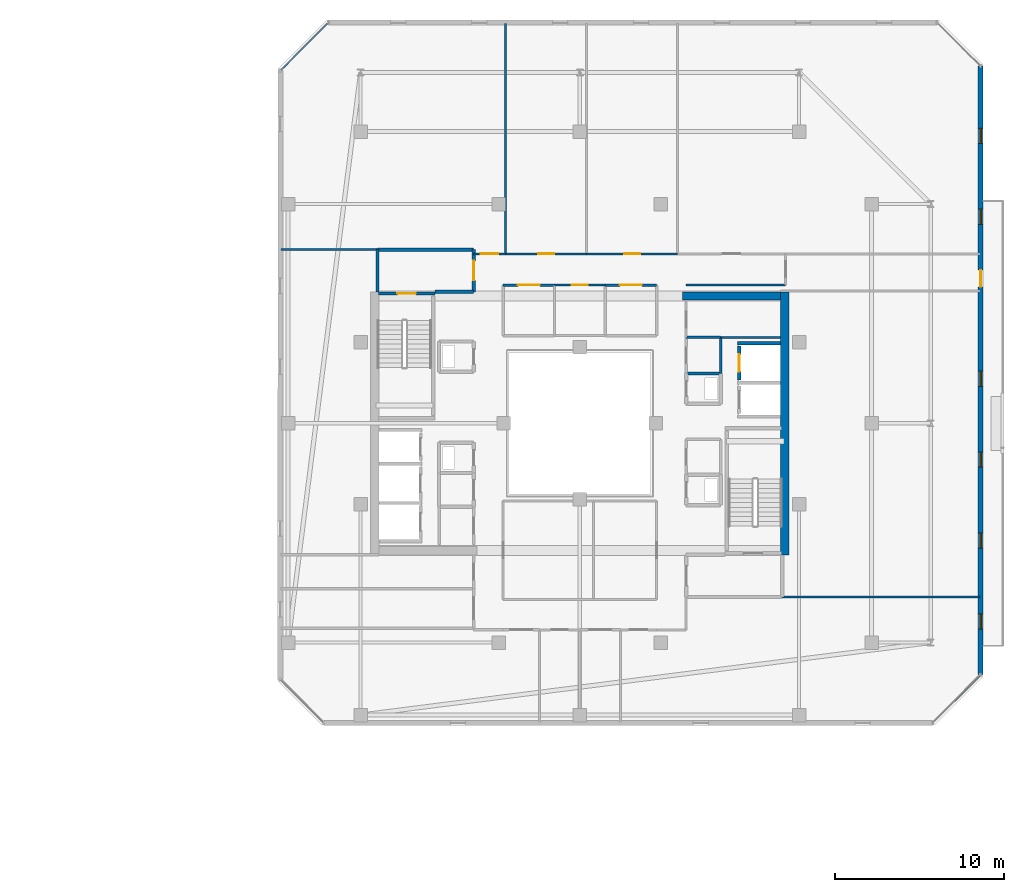
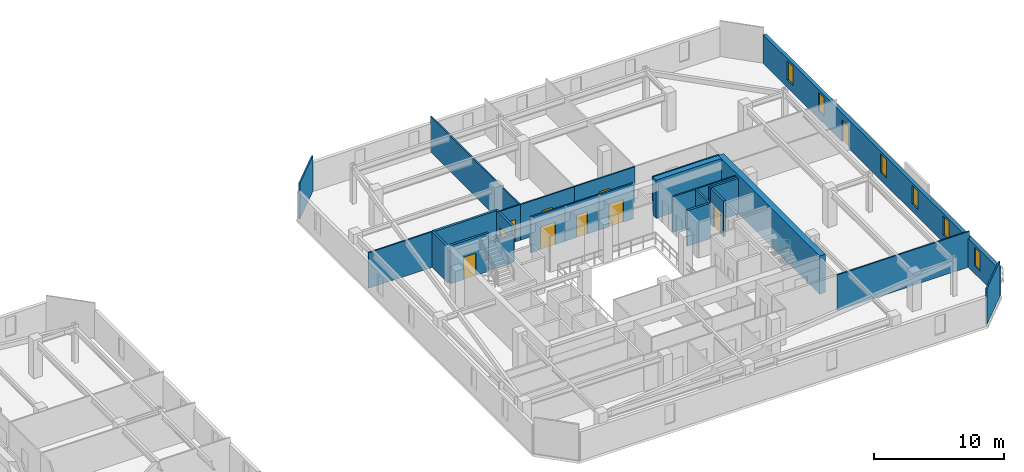
# One storey, part 27 of 35: 26 walls, 10 doors, 6 windows, 16 openings.
"""IFC4 building model written with IfcOpenShell, lengths in metres."""

from ifc_helpers import new_model, si_unit, direction, frame, frame_2d, origin, place, context, subcontext, project, spatial, rectangle, extrude, material, layer, layer_set, type_object, element, fill, save


model = new_model("IFC4")

# Units and contexts
model_context = context("Model", 3, precision=1e-05, world=origin(), true_north=direction((0.0, 1.0)))
body_context = subcontext(model_context, "Body", "Model", "MODEL_VIEW")
ifc_project = project(units=[si_unit("LENGTHUNIT", "METRE"), si_unit("AREAUNIT", "SQUARE_METRE"), si_unit("VOLUMEUNIT", "CUBIC_METRE"), si_unit("PLANEANGLEUNIT", "RADIAN"), si_unit("MASSUNIT", "GRAM", prefix="KILO")], contexts=[model_context])

# Site, building, storey
site_placement = place(None, origin())
site = spatial("IfcSite", under=ifc_project, at=site_placement, CompositionType="ELEMENT")
building_placement = place(site_placement, origin())
building = spatial("IfcBuilding", under=site, at=building_placement, Name="Thornwick Lancets Civic Towers", CompositionType="ELEMENT")
storey_placement = place(building_placement, frame((0.0, 0.0, 272.699951171875)))
storey = spatial("IfcBuildingStorey", under=building, at=storey_placement, Name="L73", CompositionType="ELEMENT", Elevation=272.699951171875)

# Wall, opening, door
ifc_material_1 = material(Name="Concrete blockwork C40/50", Category="masonry")
ifc_layer_1 = layer(ifc_material_1, 0.199951171875, Name="Concrete blockwork C40/50")
ifc_layer_set_1 = layer_set([ifc_layer_1], Name="Concrete blockwork C40/50")
wall_type_1 = type_object("IfcWallType", Name="WALL_COMP_200", PredefinedType="STANDARD", material=ifc_layer_set_1)
wall_1_placement = place(storey_placement, frame((97.949951171875, 31.570068359375, 0.0), z_axis=(0.0, 0.0, 1.0), x_axis=(0.0, -1.0, 0.0)))
wall_1 = element("IfcWall", 1, at=wall_1_placement, inside=storey, type_object=wall_type_1, Name="L73 Hoistway Front Wall PL-BH1", PredefinedType="STANDARD", context=body_context, shape_type="SweptSolid", body=[
    extrude(rectangle(XDim=1.989990234375, YDim=0.199951171875, at=frame_2d((0.9951171875, 0.0))), origin(), (0.0, 0.0, 1.0), 3.340087890625),
])
opening_1_placement = place(wall_1_placement, frame((0.485107421875, 0.0, 0.0)))
opening_1 = element("IfcOpeningElement", 2, at=opening_1_placement, cuts=wall_1, Name="Opening LD-PL-BH1", PredefinedType="OPENING", context=body_context, shape_type="SweptSolid", body=[
    extrude(rectangle(XDim=1.02001953125, YDim=2.06005859375, at=frame_2d((0.510009765625, 1.030029296875))), frame((0.0, 0.10986328125, 0.0), z_axis=(0.0, -1.0, 0.0), x_axis=(1.0, 0.0, 0.0)), (0.0, 0.0, 1.0), 0.219970703125),
])
ifc_material_2 = material(Name="Brushed bronze stainless steel", Category="steel")
door_type_1 = type_object("IfcDoorType", Name="DOOR_LIFT_SLIDE", OperationType="SLIDING_TO_LEFT", PredefinedType="DOOR", material=ifc_material_2)
door_1_placement = place(opening_1_placement, origin())
door_1 = element("IfcDoor", 3, at=door_1_placement, inside=storey, type_object=door_type_1, Name="L73 Sliding Lift Landing Door LD-PL-BH1", OperationType="SLIDING_TO_LEFT", OverallHeight=2.06005859375, OverallWidth=1.02001953125, PredefinedType="DOOR", context=body_context, shape_type="SweptSolid", body=[
    extrude(rectangle(XDim=1.02001953125, YDim=2.06005859375, at=frame_2d((0.510009765625, 1.030029296875))), frame((0.0, 0.02490234375, 0.0), z_axis=(0.0, -1.0, 0.0), x_axis=(1.0, 0.0, 0.0)), (0.0, 0.0, 1.0), 0.050048828125),
])
fill(opening_1, door_1)

# Walls
wall_2_placement = place(storey_placement, frame((97.85205078125, 31.75, 0.0), z_axis=(0.0, 0.0, 1.0), x_axis=(1.0, 0.0, 0.0)))
element("IfcWall", 4, at=wall_2_placement, inside=storey, type_object=wall_type_1, Name="L73 Hoistway Shaft Wall PL-BH1 N", PredefinedType="STANDARD", context=body_context, shape_type="SweptSolid", body=[
    extrude(rectangle(XDim=2.535888671875, YDim=0.199951171875, at=frame_2d((1.26806640625, 0.0))), origin(), (0.0, 0.0, 1.0), 3.340087890625),
])
wall_3_placement = place(storey_placement, frame((79.89990234375, 34.800048828125, 0.0), z_axis=(0.0, 0.0, 1.0), x_axis=(1.0, 0.0, 0.0)))
element("IfcWall", 5, at=wall_3_placement, inside=storey, type_object=wall_type_1, Name="L73 Partition L73-B-FFLOB2 E1", PredefinedType="STANDARD", context=body_context, shape_type="SweptSolid", body=[
    extrude(rectangle(XDim=2.300048828125, YDim=0.199951171875, at=frame_2d((1.14990234375, 0.0))), origin(), (0.0, 0.0, 1.0), 2.545166015625),
])

# Wall, opening, door
wall_4_placement = place(storey_placement, frame((82.199951171875, 34.800048828125, 0.0), z_axis=(0.0, 0.0, 1.0), x_axis=(0.0, 1.0, 0.0)))
wall_4 = element("IfcWall", 6, at=wall_4_placement, inside=storey, type_object=wall_type_1, Name="L73 Partition L73-B-FFLOB2 E2", PredefinedType="STANDARD", context=body_context, shape_type="SweptSolid", body=[
    extrude(rectangle(XDim=2.5, YDim=0.199951171875, at=frame_2d((1.25, 0.0))), origin(), (0.0, 0.0, 1.0), 3.340087890625),
])
opening_2_placement = place(wall_4_placement, frame((0.675048828125, 0.0, 0.0)))
opening_2 = element("IfcOpeningElement", 7, at=opening_2_placement, cuts=wall_4, Name="Opening D-L73-3339", PredefinedType="OPENING", context=body_context, shape_type="SweptSolid", body=[
    extrude(rectangle(XDim=1.14990234375, YDim=2.10009765625, at=frame_2d((0.574951171875, 1.050048828125))), frame((0.0, 0.10986328125, 0.0), z_axis=(0.0, -1.0, 0.0), x_axis=(1.0, 0.0, 0.0)), (0.0, 0.0, 1.0), 0.219970703125),
])
ifc_material_3 = material(Name="Glazed fire-resisting steel", Category="steel")
door_type_2 = type_object("IfcDoorType", Name="DOOR_LOBBY_FD60", OperationType="NOTDEFINED", PredefinedType="DOOR", material=ifc_material_3)
door_2_placement = place(opening_2_placement, origin())
door_2 = element("IfcDoor", 8, at=door_2_placement, inside=storey, type_object=door_type_2, Name="L73 West Firefighting Lobby 2 Door", OperationType="SINGLE_SWING_RIGHT", OverallHeight=2.10009765625, OverallWidth=1.14990234375, PredefinedType="DOOR", context=body_context, shape_type="SweptSolid", body=[
    extrude(rectangle(XDim=1.14990234375, YDim=2.10009765625, at=frame_2d((0.574951171875, 1.050048828125))), frame((0.0, 0.02490234375, 0.0), z_axis=(0.0, -1.0, 0.0), x_axis=(1.0, 0.0, 0.0)), (0.0, 0.0, 1.0), 0.050048828125),
])
fill(opening_2, door_2)

# Walls
wall_5_placement = place(storey_placement, frame((82.199951171875, 37.300048828125, 0.0), z_axis=(0.0, 0.0, 1.0), x_axis=(-1.0, 0.0, 0.0)))
element("IfcWall", 9, at=wall_5_placement, inside=storey, type_object=wall_type_1, Name="L73 Partition L73-B-FFLOB2 E3", PredefinedType="STANDARD", context=body_context, shape_type="SweptSolid", body=[
    extrude(rectangle(XDim=5.699951171875, YDim=0.199951171875, at=frame_2d((2.85009765625, 0.0))), origin(), (0.0, 0.0, 1.0), 3.340087890625),
])
wall_6_placement = place(storey_placement, frame((76.5, 37.300048828125, 0.0), z_axis=(0.0, 0.0, 1.0), x_axis=(0.0, -1.0, 0.0)))
element("IfcWall", 10, at=wall_6_placement, inside=storey, type_object=wall_type_1, Name="L73 Partition L73-B-FFLOB2 E4", PredefinedType="STANDARD", context=body_context, shape_type="SweptSolid", body=[
    extrude(rectangle(XDim=2.5, YDim=0.199951171875, at=frame_2d((1.25, 0.0))), origin(), (0.0, 0.0, 1.0), 3.340087890625),
])
wall_7_placement = place(storey_placement, frame((96.85009765625, 29.949951171875, 0.0), z_axis=(0.0, 0.0, 1.0), x_axis=(-1.0, 0.0, 0.0)))
element("IfcWall", 11, at=wall_7_placement, inside=storey, type_object=wall_type_1, Name="L73 Partition L73-B-DUCT1 E3", PredefinedType="STANDARD", context=body_context, shape_type="SweptSolid", body=[
    extrude(rectangle(XDim=2.050048828125, YDim=0.199951171875, at=frame_2d((1.02490234375, 0.0))), origin(), (0.0, 0.0, 1.0), 3.340087890625),
])
ifc_material_4 = material(Name="Concrete C50/60", Category="concrete")
ifc_layer_2 = layer(ifc_material_4, 0.5, Name="Concrete C50/60")
ifc_layer_set_2 = layer_set([ifc_layer_2], Name="Concrete C50/60")
wall_type_2 = type_object("IfcWallType", Name="WALL_CORE_500", PredefinedType="SHEAR", material=ifc_layer_set_2)
wall_8_placement = place(storey_placement, frame((100.64990234375, 19.199951171875, 0.0), z_axis=(0.0, 0.0, 1.0), x_axis=(0.0, 1.0, 0.0)))
element("IfcWall", 12, at=wall_8_placement, inside=storey, type_object=wall_type_2, Name="L73 Split Core B1 Shear Wall E", PredefinedType="SHEAR", context=body_context, shape_type="SweptSolid", body=[
    extrude(rectangle(XDim=15.60009765625, YDim=0.5, at=frame_2d((7.800048828125, 0.0))), origin(), (0.0, 0.0, 1.0), 3.60009765625),
])
wall_9_placement = place(storey_placement, frame((94.60009765625, 34.550048828125, 0.0), z_axis=(0.0, 0.0, 1.0), x_axis=(1.0, 0.0, 0.0)))
element("IfcWall", 13, at=wall_9_placement, inside=storey, type_object=wall_type_2, Name="L73 Split Core B1 Shear Wall N", PredefinedType="SHEAR", context=body_context, shape_type="SweptSolid", body=[
    extrude(rectangle(XDim=5.7998046875, YDim=0.5, at=frame_2d((2.89990234375, 0.0))), origin(), (0.0, 0.0, 1.0), 3.60009765625),
])

# Wall, openings, door, windows
ifc_material_5 = material(Name="Insulated russet terracotta rainscreen on concrete C40/50", Category="masonry")
ifc_layer_3 = layer(ifc_material_5, 0.300048828125, Name="Insulated russet terracotta rainscreen on concrete C40/50")
ifc_layer_set_3 = layer_set([ifc_layer_3], Name="Insulated russet terracotta rainscreen on concrete C40/50")
wall_type_3 = type_object("IfcWallType", Name="WALL_EXT_RUSSET_300", PredefinedType="STANDARD", material=ifc_layer_set_3)
wall_10_placement = place(storey_placement, frame((112.263671875, 12.094482421875, 0.0), z_axis=(0.0, 0.0, 1.0), x_axis=(2.7061402e-05, 0.999999999634, 0.0)))
wall_10 = element("IfcWall", 14, at=wall_10_placement, inside=storey, type_object=wall_type_3, Name="L73 Tower B Terracotta Facade Wall E2", PredefinedType="STANDARD", context=body_context, shape_type="SweptSolid", body=[
    extrude(rectangle(XDim=36.0869140625, YDim=0.300048828125, at=frame_2d((18.04345703125, 0.0))), origin(), (0.0, 0.0, 1.0), 2.699951171875),
])
opening_3_placement = place(wall_10_placement, frame((22.993408203125, 0.0, 0.0)))
opening_3 = element("IfcOpeningElement", 15, at=opening_3_placement, cuts=wall_10, Name="Opening D-BL-L73-BE", PredefinedType="OPENING", context=body_context, shape_type="SweptSolid", body=[
    extrude(rectangle(XDim=1.0, YDim=2.080078125, at=frame_2d((0.5, 1.0400390625))), frame((0.0, 0.16015625, 0.0), z_axis=(0.0, -1.0, 0.0), x_axis=(1.0, 0.0, 0.0)), (0.0, 0.0, 1.0), 0.320068359375),
])
opening_4_placement = place(wall_10_placement, frame((2.699951171875, 0.0, 0.719970703125)))
opening_4 = element("IfcOpeningElement", 16, at=opening_4_placement, cuts=wall_10, Name="Opening WL-01", PredefinedType="OPENING", context=body_context, shape_type="SweptSolid", body=[
    extrude(rectangle(XDim=0.89990234375, YDim=1.75, at=frame_2d((0.449951171875, 0.875))), frame((0.0, 0.16015625, 0.0), z_axis=(0.0, -1.0, 0.0), x_axis=(1.0, 0.0, 0.0)), (0.0, 0.0, 1.0), 0.320068359375),
])
opening_5_placement = place(wall_10_placement, frame((7.5, 0.0, 0.719970703125)))
opening_5 = element("IfcOpeningElement", 17, at=opening_5_placement, cuts=wall_10, Name="Opening WL-01", PredefinedType="OPENING", context=body_context, shape_type="SweptSolid", body=[
    extrude(rectangle(XDim=0.89990234375, YDim=1.75, at=frame_2d((0.449951171875, 0.875))), frame((0.0, 0.16015625, 0.0), z_axis=(0.0, -1.0, 0.0), x_axis=(1.0, 0.0, 0.0)), (0.0, 0.0, 1.0), 0.320068359375),
])
opening_6_placement = place(wall_10_placement, frame((12.300048828125, 0.0, 0.719970703125)))
opening_6 = element("IfcOpeningElement", 18, at=opening_6_placement, cuts=wall_10, Name="Opening WL-01", PredefinedType="OPENING", context=body_context, shape_type="SweptSolid", body=[
    extrude(rectangle(XDim=0.89990234375, YDim=1.75, at=frame_2d((0.449951171875, 0.875))), frame((0.0, 0.16015625, 0.0), z_axis=(0.0, -1.0, 0.0), x_axis=(1.0, 0.0, 0.0)), (0.0, 0.0, 1.0), 0.320068359375),
])
opening_7_placement = place(wall_10_placement, frame((17.10009765625, 0.0, 0.719970703125)))
opening_7 = element("IfcOpeningElement", 19, at=opening_7_placement, cuts=wall_10, Name="Opening WL-01", PredefinedType="OPENING", context=body_context, shape_type="SweptSolid", body=[
    extrude(rectangle(XDim=0.89990234375, YDim=1.75, at=frame_2d((0.449951171875, 0.875))), frame((0.0, 0.16015625, 0.0), z_axis=(0.0, -1.0, 0.0), x_axis=(1.0, 0.0, 0.0)), (0.0, 0.0, 1.0), 0.320068359375),
])
opening_8_placement = place(wall_10_placement, frame((26.699951171875, 0.0, 0.719970703125)))
opening_8 = element("IfcOpeningElement", 20, at=opening_8_placement, cuts=wall_10, Name="Opening WL-01", PredefinedType="OPENING", context=body_context, shape_type="SweptSolid", body=[
    extrude(rectangle(XDim=0.89990234375, YDim=1.75, at=frame_2d((0.449951171875, 0.875))), frame((0.0, 0.16015625, 0.0), z_axis=(0.0, -1.0, 0.0), x_axis=(1.0, 0.0, 0.0)), (0.0, 0.0, 1.0), 0.320068359375),
])
opening_9_placement = place(wall_10_placement, frame((31.5, 0.0, 0.719970703125)))
opening_9 = element("IfcOpeningElement", 21, at=opening_9_placement, cuts=wall_10, Name="Opening WL-01", PredefinedType="OPENING", context=body_context, shape_type="SweptSolid", body=[
    extrude(rectangle(XDim=0.89990234375, YDim=1.75, at=frame_2d((0.449951171875, 0.875))), frame((0.0, 0.16015625, 0.0), z_axis=(0.0, -1.0, 0.0), x_axis=(1.0, 0.0, 0.0)), (0.0, 0.0, 1.0), 0.320068359375),
])
ifc_material_6 = material(Name="Thermally broken glazed loggia doorset")
door_type_3 = type_object("IfcDoorType", Name="DOOR_BALC_1000", OperationType="NOTDEFINED", PredefinedType="DOOR", material=ifc_material_6)
door_3_placement = place(opening_3_placement, origin())
door_3 = element("IfcDoor", 22, at=door_3_placement, inside=storey, type_object=door_type_3, Name="L73 Tower B Loggia Balcony Door E", OperationType="SINGLE_SWING_RIGHT", OverallHeight=2.080078125, OverallWidth=1.0, PredefinedType="DOOR", context=body_context, shape_type="SweptSolid", body=[
    extrude(rectangle(XDim=1.0, YDim=2.080078125, at=frame_2d((0.5, 1.0400390625))), frame((0.0, 0.02490234375, 0.0), z_axis=(0.0, -1.0, 0.0), x_axis=(1.0, 0.0, 0.0)), (0.0, 0.0, 1.0), 0.050048828125),
])
fill(opening_3, door_3)
ifc_material_7 = material(Name="Clear low-e double glazing in bronze frame", Category="glass")
window_type = type_object("IfcWindowType", Name="WIN_LANCET_900", PartitioningType="SINGLE_PANEL", PredefinedType="WINDOW", material=ifc_material_7)
window_1_placement = place(opening_4_placement, origin())
window_1 = element("IfcWindow", 23, at=window_1_placement, inside=storey, type_object=window_type, Name="L73 Tower B Staggered Lancet Window E2-1", OverallHeight=1.75, OverallWidth=0.89990234375, PartitioningType="SINGLE_PANEL", PredefinedType="WINDOW", context=body_context, shape_type="SweptSolid", body=[
    extrude(rectangle(XDim=0.89990234375, YDim=1.75, at=frame_2d((0.449951171875, 0.875))), frame((0.0, 0.030029296875, 0.0), z_axis=(0.0, -1.0, 0.0), x_axis=(1.0, 0.0, 0.0)), (0.0, 0.0, 1.0), 0.06005859375),
])
fill(opening_4, window_1)
window_2_placement = place(opening_5_placement, origin())
window_2 = element("IfcWindow", 24, at=window_2_placement, inside=storey, type_object=window_type, Name="L73 Tower B Staggered Lancet Window E2-2", OverallHeight=1.75, OverallWidth=0.89990234375, PartitioningType="SINGLE_PANEL", PredefinedType="WINDOW", context=body_context, shape_type="SweptSolid", body=[
    extrude(rectangle(XDim=0.89990234375, YDim=1.75, at=frame_2d((0.449951171875, 0.875))), frame((0.0, 0.030029296875, 0.0), z_axis=(0.0, -1.0, 0.0), x_axis=(1.0, 0.0, 0.0)), (0.0, 0.0, 1.0), 0.06005859375),
])
fill(opening_5, window_2)
window_3_placement = place(opening_6_placement, origin())
window_3 = element("IfcWindow", 25, at=window_3_placement, inside=storey, type_object=window_type, Name="L73 Tower B Staggered Lancet Window E2-3", OverallHeight=1.75, OverallWidth=0.89990234375, PartitioningType="SINGLE_PANEL", PredefinedType="WINDOW", context=body_context, shape_type="SweptSolid", body=[
    extrude(rectangle(XDim=0.89990234375, YDim=1.75, at=frame_2d((0.449951171875, 0.875))), frame((0.0, 0.030029296875, 0.0), z_axis=(0.0, -1.0, 0.0), x_axis=(1.0, 0.0, 0.0)), (0.0, 0.0, 1.0), 0.06005859375),
])
fill(opening_6, window_3)
window_4_placement = place(opening_7_placement, origin())
window_4 = element("IfcWindow", 26, at=window_4_placement, inside=storey, type_object=window_type, Name="L73 Tower B Staggered Lancet Window E2-4", OverallHeight=1.75, OverallWidth=0.89990234375, PartitioningType="SINGLE_PANEL", PredefinedType="WINDOW", context=body_context, shape_type="SweptSolid", body=[
    extrude(rectangle(XDim=0.89990234375, YDim=1.75, at=frame_2d((0.449951171875, 0.875))), frame((0.0, 0.030029296875, 0.0), z_axis=(0.0, -1.0, 0.0), x_axis=(1.0, 0.0, 0.0)), (0.0, 0.0, 1.0), 0.06005859375),
])
fill(opening_7, window_4)
window_5_placement = place(opening_8_placement, origin())
window_5 = element("IfcWindow", 27, at=window_5_placement, inside=storey, type_object=window_type, Name="L73 Tower B Staggered Lancet Window E2-5", OverallHeight=1.75, OverallWidth=0.89990234375, PartitioningType="SINGLE_PANEL", PredefinedType="WINDOW", context=body_context, shape_type="SweptSolid", body=[
    extrude(rectangle(XDim=0.89990234375, YDim=1.75, at=frame_2d((0.449951171875, 0.875))), frame((0.0, 0.030029296875, 0.0), z_axis=(0.0, -1.0, 0.0), x_axis=(1.0, 0.0, 0.0)), (0.0, 0.0, 1.0), 0.06005859375),
])
fill(opening_8, window_5)
window_6_placement = place(opening_9_placement, origin())
window_6 = element("IfcWindow", 28, at=window_6_placement, inside=storey, type_object=window_type, Name="L73 Tower B Staggered Lancet Window E2-6", OverallHeight=1.75, OverallWidth=0.89990234375, PartitioningType="SINGLE_PANEL", PredefinedType="WINDOW", context=body_context, shape_type="SweptSolid", body=[
    extrude(rectangle(XDim=0.89990234375, YDim=1.75, at=frame_2d((0.449951171875, 0.875))), frame((0.0, 0.030029296875, 0.0), z_axis=(0.0, -1.0, 0.0), x_axis=(1.0, 0.0, 0.0)), (0.0, 0.0, 1.0), 0.06005859375),
])
fill(opening_9, window_6)

# Walls
ifc_material_8 = material(Name="Acoustic gypsum board partition")
ifc_layer_4 = layer(ifc_material_8, 0.1201171875, Name="Acoustic gypsum board partition")
ifc_layer_set_4 = layer_set([ifc_layer_4], Name="Acoustic gypsum board partition")
wall_type_4 = type_object("IfcWallType", Name="WALL_PART_120", PredefinedType="PARTITIONING", material=ifc_layer_set_4)
wall_11_placement = place(storey_placement, frame((100.39990234375, 32.10009765625, 0.0), z_axis=(0.0, 0.0, 1.0), x_axis=(-1.0, 0.0, 0.0)))
element("IfcWall", 29, at=wall_11_placement, inside=storey, type_object=wall_type_4, Name="L73 Partition L73-B-ITR E4", PredefinedType="PARTITIONING", context=body_context, shape_type="SweptSolid", body=[
    extrude(rectangle(XDim=3.5498046875, YDim=0.1201171875, at=frame_2d((1.77490234375, 0.0))), origin(), (0.0, 0.0, 1.0), 3.340087890625),
])
wall_12_placement = place(storey_placement, frame((94.800048828125, 35.199951171875, 0.0), z_axis=(0.0, 0.0, 1.0), x_axis=(1.0, 0.0, 0.0)))
element("IfcWall", 30, at=wall_12_placement, inside=storey, type_object=wall_type_4, Name="L73 Partition L73-B-RECLAIM-L E2", PredefinedType="PARTITIONING", context=body_context, shape_type="SweptSolid", body=[
    extrude(rectangle(XDim=5.89990234375, YDim=0.1201171875, at=frame_2d((2.949951171875, 0.0))), origin(), (0.0, 0.0, 1.0), 3.340087890625),
])
wall_13_placement = place(storey_placement, frame((100.5, 16.699951171875, 0.0), z_axis=(0.0, 0.0, 1.0), x_axis=(1.0, 0.0, 0.0)))
element("IfcWall", 31, at=wall_13_placement, inside=storey, type_object=wall_type_4, Name="L73 Partition L73-B-W1 E7", PredefinedType="PARTITIONING", context=body_context, shape_type="SweptSolid", body=[
    extrude(rectangle(XDim=11.719970703125, YDim=0.1201171875, at=frame_2d((5.85986328125, 0.0))), origin(), (0.0, 0.0, 1.0), 3.340087890625),
])
wall_14_placement = place(storey_placement, frame((112.219970703125, 12.051513671875, 0.0), z_axis=(0.0, 0.0, 1.0), x_axis=(-0.707106781187, -0.707106781187, 0.0)))
element("IfcWall", 32, at=wall_14_placement, inside=storey, type_object=wall_type_4, Name="L73 Partition L73-B-W1 E9", PredefinedType="PARTITIONING", context=body_context, shape_type="SweptSolid", body=[
    extrude(rectangle(XDim=3.91943359375, YDim=0.1201171875, at=frame_2d((1.959716796875, 0.0))), origin(), (0.0, 0.0, 1.0), 3.340087890625),
])

# Wall, opening, door
wall_15_placement = place(storey_placement, frame((94.300048828125, 37.050048828125, 0.0), z_axis=(0.0, 0.0, 1.0), x_axis=(-1.0, 0.0, 0.0)))
wall_15 = element("IfcWall", 33, at=wall_15_placement, inside=storey, type_object=wall_type_4, Name="L73 Partition L73-B-E2 E4", PredefinedType="PARTITIONING", context=body_context, shape_type="SweptSolid", body=[
    extrude(rectangle(XDim=5.400146484375, YDim=0.1201171875, at=frame_2d((2.7001953125, 0.0))), origin(), (0.0, 0.0, 1.0), 3.340087890625),
])
opening_10_placement = place(wall_15_placement, frame((2.22509765625, 0.0, 0.0)))
opening_10 = element("IfcOpeningElement", 34, at=opening_10_placement, cuts=wall_15, Name="Opening D-L73-3375", PredefinedType="OPENING", context=body_context, shape_type="SweptSolid", body=[
    extrude(rectangle(XDim=0.949951171875, YDim=2.10009765625, at=frame_2d((0.47509765625, 1.050048828125))), frame((0.0, 0.070068359375, 0.0), z_axis=(0.0, -1.0, 0.0), x_axis=(1.0, 0.0, 0.0)), (0.0, 0.0, 1.0), 0.14013671875),
])
ifc_material_9 = material(Name="European oak acoustic doorset")
door_type_4 = type_object("IfcDoorType", Name="DOOR_OFFICE_950", OperationType="NOTDEFINED", PredefinedType="DOOR", material=ifc_material_9)
door_4_placement = place(opening_10_placement, origin())
door_4 = element("IfcDoor", 35, at=door_4_placement, inside=storey, type_object=door_type_4, Name="L73 Tower B Visitors Reception and Waiting Door", OperationType="SINGLE_SWING_RIGHT", OverallHeight=2.10009765625, OverallWidth=0.949951171875, PredefinedType="DOOR", context=body_context, shape_type="SweptSolid", body=[
    extrude(rectangle(XDim=0.949951171875, YDim=2.10009765625, at=frame_2d((0.47509765625, 1.050048828125))), frame((0.0, 0.02490234375, 0.0), z_axis=(0.0, -1.0, 0.0), x_axis=(1.0, 0.0, 0.0)), (0.0, 0.0, 1.0), 0.050048828125),
])
fill(opening_10, door_4)

# Wall
wall_16_placement = place(storey_placement, frame((84.10009765625, 37.050048828125, 0.0), z_axis=(0.0, 0.0, 1.0), x_axis=(0.0, 1.0, 0.0)))
element("IfcWall", 36, at=wall_16_placement, inside=storey, type_object=wall_type_4, Name="L73 Partition L73-B-E3 E1", PredefinedType="PARTITIONING", context=body_context, shape_type="SweptSolid", body=[
    extrude(rectangle(XDim=13.669921875, YDim=0.1201171875, at=frame_2d((6.8349609375, 0.0))), origin(), (0.0, 0.0, 1.0), 3.340087890625),
])

# Wall, opening, door
wall_17_placement = place(storey_placement, frame((88.89990234375, 37.050048828125, 0.0), z_axis=(0.0, 0.0, 1.0), x_axis=(-1.0, 0.0, 0.0)))
wall_17 = element("IfcWall", 37, at=wall_17_placement, inside=storey, type_object=wall_type_4, Name="L73 Partition L73-B-E3 E4", PredefinedType="PARTITIONING", context=body_context, shape_type="SweptSolid", body=[
    extrude(rectangle(XDim=4.7998046875, YDim=0.1201171875, at=frame_2d((2.39990234375, 0.0))), origin(), (0.0, 0.0, 1.0), 3.340087890625),
])
opening_11_placement = place(wall_17_placement, frame((1.925048828125, 0.0, 0.0)))
opening_11 = element("IfcOpeningElement", 38, at=opening_11_placement, cuts=wall_17, Name="Opening D-L73-3376", PredefinedType="OPENING", context=body_context, shape_type="SweptSolid", body=[
    extrude(rectangle(XDim=0.949951171875, YDim=2.10009765625, at=frame_2d((0.47509765625, 1.050048828125))), frame((0.0, 0.070068359375, 0.0), z_axis=(0.0, -1.0, 0.0), x_axis=(1.0, 0.0, 0.0)), (0.0, 0.0, 1.0), 0.14013671875),
])
door_5_placement = place(opening_11_placement, origin())
door_5 = element("IfcDoor", 39, at=door_5_placement, inside=storey, type_object=door_type_4, Name="L73 Tower B Civic Seminar Room Door", OperationType="SINGLE_SWING_LEFT", OverallHeight=2.10009765625, OverallWidth=0.949951171875, PredefinedType="DOOR", context=body_context, shape_type="SweptSolid", body=[
    extrude(rectangle(XDim=0.949951171875, YDim=2.10009765625, at=frame_2d((0.47509765625, 1.050048828125))), frame((0.0, 0.02490234375, 0.0), z_axis=(0.0, -1.0, 0.0), x_axis=(1.0, 0.0, 0.0)), (0.0, 0.0, 1.0), 0.050048828125),
])
fill(opening_11, door_5)

# Walls
wall_18_placement = place(storey_placement, frame((76.5, 37.300048828125, 0.0), z_axis=(0.0, 0.0, 1.0), x_axis=(-1.0, 0.0, 0.0)))
element("IfcWall", 40, at=wall_18_placement, inside=storey, type_object=wall_type_4, Name="L73 Partition L73-B-E4 E3", PredefinedType="PARTITIONING", context=body_context, shape_type="SweptSolid", body=[
    extrude(rectangle(XDim=5.719970703125, YDim=0.1201171875, at=frame_2d((2.85986328125, 0.0))), origin(), (0.0, 0.0, 1.0), 3.340087890625),
])
wall_19_placement = place(storey_placement, frame((70.780029296875, 47.948486328125, 0.0), z_axis=(0.0, 0.0, 1.0), x_axis=(0.707106781187, 0.707106781187, 0.0)))
element("IfcWall", 41, at=wall_19_placement, inside=storey, type_object=wall_type_4, Name="L73 Partition L73-B-E4 E5", PredefinedType="PARTITIONING", context=body_context, shape_type="SweptSolid", body=[
    extrude(rectangle(XDim=3.91943359375, YDim=0.1201171875, at=frame_2d((1.959716796875, 0.0))), origin(), (0.0, 0.0, 1.0), 3.340087890625),
])

# Wall, opening, door
wall_20_placement = place(storey_placement, frame((84.10009765625, 37.050048828125, 0.0), z_axis=(0.0, 0.0, 1.0), x_axis=(-1.0, 0.0, 0.0)))
wall_20 = element("IfcWall", 42, at=wall_20_placement, inside=storey, type_object=wall_type_4, Name="L73 Partition L73-B-E4 E8", PredefinedType="PARTITIONING", context=body_context, shape_type="SweptSolid", body=[
    extrude(rectangle(XDim=1.900146484375, YDim=0.1201171875, at=frame_2d((0.9501953125, 0.0))), origin(), (0.0, 0.0, 1.0), 3.340087890625),
])
opening_12_placement = place(wall_20_placement, frame((0.425048828125, 0.0, 0.0)))
opening_12 = element("IfcOpeningElement", 43, at=opening_12_placement, cuts=wall_20, Name="Opening D-L73-3377", PredefinedType="OPENING", context=body_context, shape_type="SweptSolid", body=[
    extrude(rectangle(XDim=1.050048828125, YDim=2.10009765625, at=frame_2d((0.52490234375, 1.050048828125))), frame((0.0, 0.070068359375, 0.0), z_axis=(0.0, -1.0, 0.0), x_axis=(1.0, 0.0, 0.0)), (0.0, 0.0, 1.0), 0.14013671875),
])
ifc_material_10 = material(Name="Glazed European oak executive doorset")
door_type_5 = type_object("IfcDoorType", Name="DOOR_OFFICE_1050", OperationType="NOTDEFINED", PredefinedType="DOOR", material=ifc_material_10)
door_6_placement = place(opening_12_placement, origin())
door_6 = element("IfcDoor", 44, at=door_6_placement, inside=storey, type_object=door_type_5, Name="L73 Tower B Legislative Drafting Suite E4 Door", OperationType="SINGLE_SWING_RIGHT", OverallHeight=2.10009765625, OverallWidth=1.050048828125, PredefinedType="DOOR", context=body_context, shape_type="SweptSolid", body=[
    extrude(rectangle(XDim=1.050048828125, YDim=2.10009765625, at=frame_2d((0.52490234375, 1.050048828125))), frame((0.0, 0.02490234375, 0.0), z_axis=(0.0, -1.0, 0.0), x_axis=(1.0, 0.0, 0.0)), (0.0, 0.0, 1.0), 0.050048828125),
])
fill(opening_12, door_6)

wall_21_placement = place(storey_placement, frame((87.0, 35.199951171875, 0.0), z_axis=(0.0, 0.0, 1.0), x_axis=(1.0, 0.0, 0.0)))
wall_21 = element("IfcWall", 45, at=wall_21_placement, inside=storey, type_object=wall_type_4, Name="L73 Partition L73-B-E-ATR-2 E2", PredefinedType="PARTITIONING", context=body_context, shape_type="SweptSolid", body=[
    extrude(rectangle(XDim=3.0, YDim=0.1201171875, at=frame_2d((1.5, 0.0))), origin(), (0.0, 0.0, 1.0), 3.340087890625),
])
opening_13_placement = place(wall_21_placement, frame((1.02490234375, 0.0, 0.0)))
opening_13 = element("IfcOpeningElement", 46, at=opening_13_placement, cuts=wall_21, Name="Opening D-L73-3379", PredefinedType="OPENING", context=body_context, shape_type="SweptSolid", body=[
    extrude(rectangle(XDim=0.949951171875, YDim=2.10009765625, at=frame_2d((0.47509765625, 1.050048828125))), frame((0.0, 0.070068359375, 0.0), z_axis=(0.0, -1.0, 0.0), x_axis=(1.0, 0.0, 0.0)), (0.0, 0.0, 1.0), 0.14013671875),
])
door_7_placement = place(opening_13_placement, origin())
door_7 = element("IfcDoor", 47, at=door_7_placement, inside=storey, type_object=door_type_4, Name="L73 Tower B Atrium Research Suite Door", OperationType="SINGLE_SWING_RIGHT", OverallHeight=2.10009765625, OverallWidth=0.949951171875, PredefinedType="DOOR", context=body_context, shape_type="SweptSolid", body=[
    extrude(rectangle(XDim=0.949951171875, YDim=2.10009765625, at=frame_2d((0.47509765625, 1.050048828125))), frame((0.0, 0.02490234375, 0.0), z_axis=(0.0, -1.0, 0.0), x_axis=(1.0, 0.0, 0.0)), (0.0, 0.0, 1.0), 0.050048828125),
])
fill(opening_13, door_7)

# Walls
ifc_material_11 = material(Name="Twin-stud acoustic gypsum board")
ifc_layer_5 = layer(ifc_material_11, 0.14990234375, Name="Twin-stud acoustic gypsum board")
ifc_layer_set_5 = layer_set([ifc_layer_5], Name="Twin-stud acoustic gypsum board")
wall_type_5 = type_object("IfcWallType", Name="WALL_PART_150", PredefinedType="PARTITIONING", material=ifc_layer_set_5)
wall_22_placement = place(storey_placement, frame((94.800048828125, 32.10009765625, 0.0), z_axis=(0.0, 0.0, 1.0), x_axis=(1.0, 0.0, 0.0)))
element("IfcWall", 48, at=wall_22_placement, inside=storey, type_object=wall_type_5, Name="L73 Partition L73-B-FWC E2", PredefinedType="PARTITIONING", context=body_context, shape_type="SweptSolid", body=[
    extrude(rectangle(XDim=2.050048828125, YDim=0.14990234375, at=frame_2d((1.02490234375, 0.0))), origin(), (0.0, 0.0, 1.0), 3.340087890625),
])
wall_23_placement = place(storey_placement, frame((96.85009765625, 32.10009765625, 0.0), z_axis=(0.0, 0.0, 1.0), x_axis=(0.0, -1.0, 0.0)))
element("IfcWall", 49, at=wall_23_placement, inside=storey, type_object=wall_type_5, Name="L73 Partition L73-B-FWC E3", PredefinedType="PARTITIONING", context=body_context, shape_type="SweptSolid", body=[
    extrude(rectangle(XDim=2.150146484375, YDim=0.14990234375, at=frame_2d((1.0751953125, 0.0))), origin(), (0.0, 0.0, 1.0), 3.340087890625),
])

# Wall, opening, door
wall_24_placement = place(storey_placement, frame((90.0, 35.199951171875, 0.0), z_axis=(0.0, 0.0, 1.0), x_axis=(1.0, 0.0, 0.0)))
wall_24 = element("IfcWall", 50, at=wall_24_placement, inside=storey, type_object=wall_type_5, Name="L73 Partition L73-B-E-ATR-1 E2", PredefinedType="PARTITIONING", context=body_context, shape_type="SweptSolid", body=[
    extrude(rectangle(XDim=3.050048828125, YDim=0.14990234375, at=frame_2d((1.52490234375, 0.0))), origin(), (0.0, 0.0, 1.0), 3.340087890625),
])
opening_14_placement = place(wall_24_placement, frame((0.875, 0.0, 0.0)))
opening_14 = element("IfcOpeningElement", 51, at=opening_14_placement, cuts=wall_24, Name="Opening D-L73-3378", PredefinedType="OPENING", context=body_context, shape_type="SweptSolid", body=[
    extrude(rectangle(XDim=1.300048828125, YDim=2.1201171875, at=frame_2d((0.64990234375, 1.06005859375))), frame((0.0, 0.0849609375, 0.0), z_axis=(0.0, -1.0, 0.0), x_axis=(1.0, 0.0, 0.0)), (0.0, 0.0, 1.0), 0.169921875),
])
ifc_material_12 = material(Name="Acoustic oak leaf-and-a-half doorset")
door_type_6 = type_object("IfcDoorType", Name="DOOR_MEET_1300", OperationType="DOUBLE_DOOR_SINGLE_SWING", PredefinedType="DOOR", material=ifc_material_12)
door_8_placement = place(opening_14_placement, origin())
door_8 = element("IfcDoor", 52, at=door_8_placement, inside=storey, type_object=door_type_6, Name="L73 Tower B Atrium Briefing Room Door", OperationType="DOUBLE_DOOR_SINGLE_SWING", OverallHeight=2.1201171875, OverallWidth=1.300048828125, PredefinedType="DOOR", context=body_context, shape_type="SweptSolid", body=[
    extrude(rectangle(XDim=1.300048828125, YDim=2.1201171875, at=frame_2d((0.64990234375, 1.06005859375))), frame((0.0, 0.02490234375, 0.0), z_axis=(0.0, -1.0, 0.0), x_axis=(1.0, 0.0, 0.0)), (0.0, 0.0, 1.0), 0.050048828125),
])
fill(opening_14, door_8)

wall_25_placement = place(storey_placement, frame((83.949951171875, 35.199951171875, 0.0), z_axis=(0.0, 0.0, 1.0), x_axis=(1.0, 0.0, 0.0)))
wall_25 = element("IfcWall", 53, at=wall_25_placement, inside=storey, type_object=wall_type_5, Name="L73 Partition L73-B-E-ATR-3 E2", PredefinedType="PARTITIONING", context=body_context, shape_type="SweptSolid", body=[
    extrude(rectangle(XDim=3.050048828125, YDim=0.14990234375, at=frame_2d((1.52490234375, 0.0))), origin(), (0.0, 0.0, 1.0), 3.340087890625),
])
opening_15_placement = place(wall_25_placement, frame((0.875, 0.0, 0.0)))
opening_15 = element("IfcOpeningElement", 54, at=opening_15_placement, cuts=wall_25, Name="Opening D-L73-3380", PredefinedType="OPENING", context=body_context, shape_type="SweptSolid", body=[
    extrude(rectangle(XDim=1.300048828125, YDim=2.1201171875, at=frame_2d((0.64990234375, 1.06005859375))), frame((0.0, 0.0849609375, 0.0), z_axis=(0.0, -1.0, 0.0), x_axis=(1.0, 0.0, 0.0)), (0.0, 0.0, 1.0), 0.169921875),
])
door_9_placement = place(opening_15_placement, origin())
door_9 = element("IfcDoor", 55, at=door_9_placement, inside=storey, type_object=door_type_6, Name="L73 Tower B Atrium Consultation Chamber Door", OperationType="DOUBLE_DOOR_SINGLE_SWING", OverallHeight=2.1201171875, OverallWidth=1.300048828125, PredefinedType="DOOR", context=body_context, shape_type="SweptSolid", body=[
    extrude(rectangle(XDim=1.300048828125, YDim=2.1201171875, at=frame_2d((0.64990234375, 1.06005859375))), frame((0.0, 0.02490234375, 0.0), z_axis=(0.0, -1.0, 0.0), x_axis=(1.0, 0.0, 0.0)), (0.0, 0.0, 1.0), 0.050048828125),
])
fill(opening_15, door_9)

ifc_material_13 = material(Name="Concrete C40/50", Category="concrete")
ifc_layer_6 = layer(ifc_material_13, 0.199951171875, Name="Concrete C40/50")
ifc_layer_set_6 = layer_set([ifc_layer_6], Name="Concrete C40/50")
wall_type_6 = type_object("IfcWallType", Name="WALL_SHAFT_200", PredefinedType="SHEAR", material=ifc_layer_set_6)
wall_26_placement = place(storey_placement, frame((76.550048828125, 34.699951171875, 0.0), z_axis=(0.0, 0.0, 1.0), x_axis=(1.0, 0.0, 0.0)))
wall_26 = element("IfcWall", 56, at=wall_26_placement, inside=storey, type_object=wall_type_6, Name="L73 ST-B2 Fire Stair Core Wall NEAR", PredefinedType="SHEAR", context=body_context, shape_type="SweptSolid", body=[
    extrude(rectangle(XDim=3.349853515625, YDim=0.199951171875, at=frame_2d((1.6748046875, 0.0))), origin(), (0.0, 0.0, 1.0), 3.60009765625),
])
opening_16_placement = place(wall_26_placement, frame((1.125, 0.0, 0.0)))
opening_16 = element("IfcOpeningElement", 57, at=opening_16_placement, cuts=wall_26, Name="Opening D-ST-B2-L73", PredefinedType="OPENING", context=body_context, shape_type="SweptSolid", body=[
    extrude(rectangle(XDim=1.10009765625, YDim=2.10009765625, at=frame_2d((0.550048828125, 1.050048828125))), frame((0.0, 0.10986328125, 0.0), z_axis=(0.0, -1.0, 0.0), x_axis=(1.0, 0.0, 0.0)), (0.0, 0.0, 1.0), 0.219970703125),
])
ifc_material_14 = material(Name="Fire-resisting steel and hardwood", Category="steel")
door_type_7 = type_object("IfcDoorType", Name="DOOR_STAIR_FD60", OperationType="NOTDEFINED", PredefinedType="DOOR", material=ifc_material_14)
door_10_placement = place(opening_16_placement, origin())
door_10 = element("IfcDoor", 58, at=door_10_placement, inside=storey, type_object=door_type_7, Name="L73 ST-B2 Exit Stair Door", OperationType="SINGLE_SWING_LEFT", OverallHeight=2.10009765625, OverallWidth=1.10009765625, PredefinedType="DOOR", context=body_context, shape_type="SweptSolid", body=[
    extrude(rectangle(XDim=1.10009765625, YDim=2.10009765625, at=frame_2d((0.550048828125, 1.050048828125))), frame((0.0, 0.02490234375, 0.0), z_axis=(0.0, -1.0, 0.0), x_axis=(1.0, 0.0, 0.0)), (0.0, 0.0, 1.0), 0.050048828125),
])
fill(opening_16, door_10)

save(model, "model.ifc")
